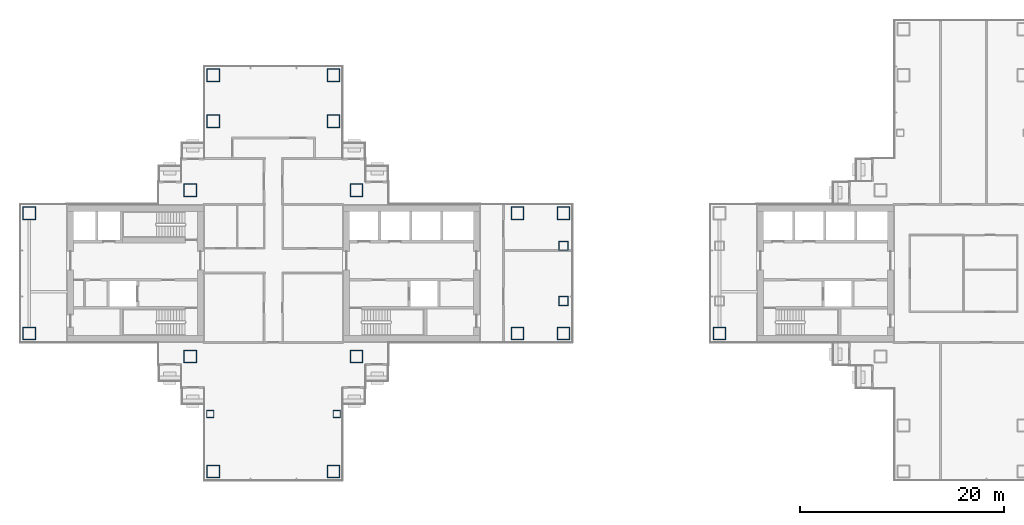
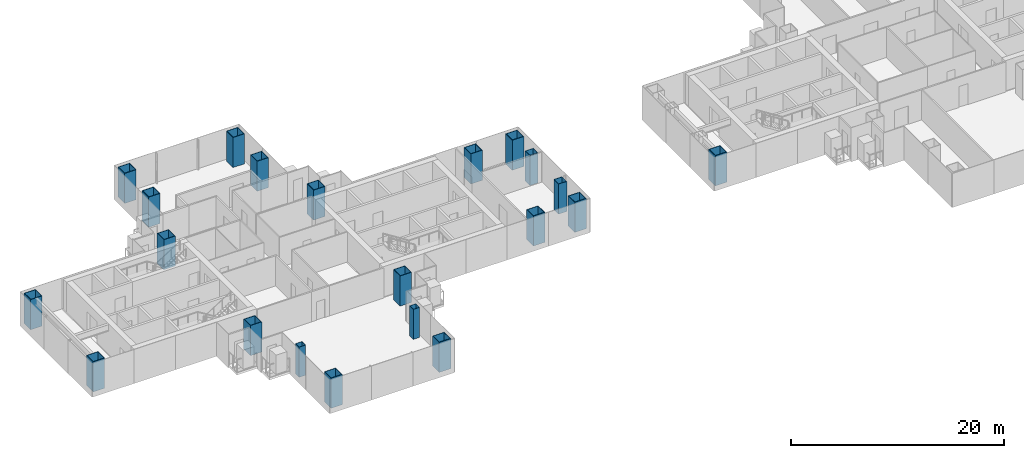
# One storey, part 1 of 20: 21 columns.
"""IFC4 building model written with IfcOpenShell, lengths in metres."""

from ifc_helpers import new_model, si_unit, direction, frame, origin, origin_2d, place, context, subcontext, project, spatial, hollow_rectangle, extrude, material, material_profile, profile_set, type_object, element, save


model = new_model("IFC4")

# Units and contexts
model_context = context("Model", 3, precision=1e-05, world=origin(), true_north=direction((0.0, 1.0)))
body_context = subcontext(model_context, "Body", "Model", "MODEL_VIEW")
ifc_project = project(units=[si_unit("LENGTHUNIT", "METRE"), si_unit("AREAUNIT", "SQUARE_METRE"), si_unit("VOLUMEUNIT", "CUBIC_METRE"), si_unit("PLANEANGLEUNIT", "RADIAN"), si_unit("MASSUNIT", "GRAM", prefix="KILO")], contexts=[model_context])

# Site, building, storey
site_placement = place(None, origin())
site = spatial("IfcSite", under=ifc_project, at=site_placement, CompositionType="ELEMENT")
building_placement = place(site_placement, origin())
building = spatial("IfcBuilding", under=site, at=building_placement, Name="Shamsa Quay Exchange Towers", CompositionType="ELEMENT")
storey_placement = place(building_placement, frame((0.0, 0.0, 124.800048828125)))
storey = spatial("IfcBuildingStorey", under=building, at=storey_placement, Name="L29", CompositionType="ELEMENT", Elevation=124.800048828125)

# Columns
ifc_material_1 = material(Name="Concrete-filled steel tube S355 / C80/95", Category="concrete")
ifc_material_profile_1 = material_profile(ifc_material_1, hollow_rectangle(XDim=1.25, YDim=1.25, WallThickness=0.050048828125, at=origin_2d()), Name="CFT 1250x1250x50")
ifc_profile_set_1 = profile_set([ifc_material_profile_1], Name="Concrete-filled steel tube S355 / C80/95")
column_type_1 = type_object("IfcColumnType", Name="Column CFT 1250x1250x50", PredefinedType="COLUMN", material=ifc_profile_set_1)
for number, where, name in (
    (1, (-25.625, 8.125, 0.0), "Mega column T1-CM01"),
    (2, (-25.625, -8.125, 0.0), "Mega column T1-CM02"),
    (3, (-41.875, 8.125, 0.0), "Mega column T1-CM03"),
    (4, (-41.875, -8.125, 0.0), "Mega column T1-CM04"),
    (5, (-9.875, -5.875, 0.0), "Mega column T1-CM05"),
    (6, (-5.375, -5.875, 0.0), "Mega column T1-CM06"),
    (7, (-9.875, 5.875, 0.0), "Mega column T1-CM07"),
    (8, (-5.375, 5.875, 0.0), "Mega column T1-CM08"),
    (9, (-57.625, -5.875, 0.0), "Mega column T1-CM09"),
    (10, (-57.625, 5.875, 0.0), "Mega column T1-CM11"),
    (11, (-39.625, 14.875, 0.0), "Mega column T1-CM13"),
    (12, (-39.625, 19.375, 0.0), "Mega column T1-CM14"),
    (13, (-27.875, 14.875, 0.0), "Mega column T1-CM16"),
    (14, (-27.875, 19.375, 0.0), "Mega column T1-CM17"),
    (15, (-39.625, -19.375, 0.0), "Mega column T1-CM20"),
    (16, (-27.875, -19.375, 0.0), "Mega column T1-CM23"),
    (17, (9.875, -5.875, 0.0), "Mega column T2-CM19"),
):
    element("IfcColumn", number, at=place(storey_placement, frame(where)), inside=storey, type_object=column_type_1, Name=name, PredefinedType="COLUMN", context=body_context, shape_type="SweptSolid", body=[
        extrude(hollow_rectangle(XDim=1.25, YDim=1.25, WallThickness=0.050048828125, at=origin_2d()), origin(), (0.0, 0.0, 1.0), 3.449951171875),
    ])
ifc_material_2 = material(Name="Concrete-filled steel tube S355 / C60/75", Category="concrete")
ifc_material_profile_2 = material_profile(ifc_material_2, hollow_rectangle(XDim=0.699951171875, YDim=0.699951171875, WallThickness=0.02490234375, at=origin_2d()), Name="CFT 700x700x25")
ifc_profile_set_2 = profile_set([ifc_material_profile_2], Name="Concrete-filled steel tube S355 / C60/75")
column_type_2 = type_object("IfcColumnType", Name="Column CFT 700x700x25", PredefinedType="COLUMN", material=ifc_profile_set_2)
for number, where, name in (
    (18, (-39.9375, -13.75, 0.0), "Perimeter column T1-CP19"),
    (19, (-27.5625, -13.75, 0.0), "Perimeter column T1-CP22"),
):
    element("IfcColumn", number, at=place(storey_placement, frame(where)), inside=storey, type_object=column_type_2, Name=name, PredefinedType="COLUMN", context=body_context, shape_type="SweptSolid", body=[
        extrude(hollow_rectangle(XDim=0.699951171875, YDim=0.699951171875, WallThickness=0.02490234375, at=origin_2d()), origin(), (0.0, 0.0, 1.0), 3.449951171875),
    ])
ifc_material_3 = material(Name="Concrete-filled steel tube S355 / C70/85", Category="concrete")
ifc_material_profile_3 = material_profile(ifc_material_3, hollow_rectangle(XDim=0.89990234375, YDim=0.89990234375, WallThickness=0.035888671875, at=origin_2d()), Name="CFT 900x900x36")
ifc_profile_set_3 = profile_set([ifc_material_profile_3], Name="Concrete-filled steel tube S355 / C70/85")
column_type_3 = type_object("IfcColumnType", Name="Landing column CFT 900x900x36", PredefinedType="COLUMN", material=ifc_profile_set_3)
for number, where, name in (
    (20, (-5.375, -2.699951171875, 0.0), "Landing column T1 S"),
    (21, (-5.375, 2.699951171875, 0.0), "Landing column T1 N"),
):
    element("IfcColumn", number, at=place(storey_placement, frame(where)), inside=storey, type_object=column_type_3, Name=name, PredefinedType="COLUMN", context=body_context, shape_type="SweptSolid", body=[
        extrude(hollow_rectangle(XDim=0.89990234375, YDim=0.89990234375, WallThickness=0.035888671875, at=origin_2d()), origin(), (0.0, 0.0, 1.0), 3.449951171875),
    ])

save(model, "model.ifc")
